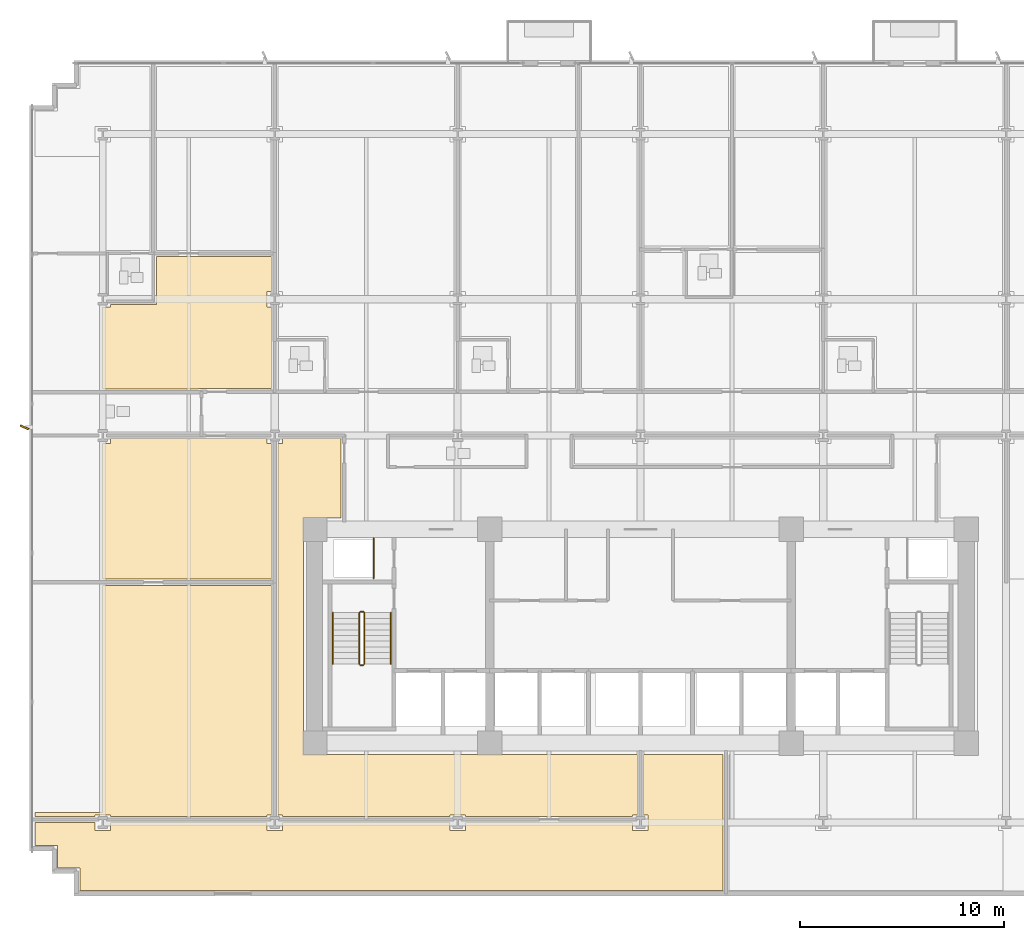
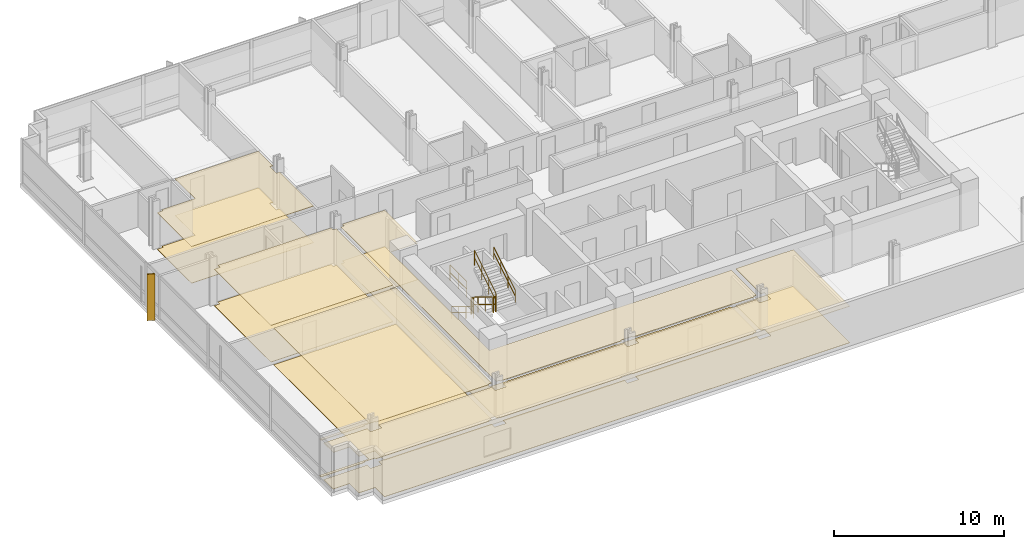
# One storey, part 12 of 15: 10 coverings, 7 railings, 1 shading device.
"""IFC4 building model written with IfcOpenShell, lengths in metres."""

from ifc_helpers import new_model, si_unit, direction, frame, origin, origin_2d, place, context, subcontext, project, spatial, polyline, rectangle, circle, outline, extrude, material, layer, layer_set, type_object, element, save


model = new_model("IFC4")

# Units and contexts
model_context = context("Model", 3, precision=1e-05, world=origin(), true_north=direction((0.0, 1.0)))
body_context = subcontext(model_context, "Body", "Model", "MODEL_VIEW")
ifc_project = project(units=[si_unit("LENGTHUNIT", "METRE"), si_unit("AREAUNIT", "SQUARE_METRE"), si_unit("VOLUMEUNIT", "CUBIC_METRE"), si_unit("PLANEANGLEUNIT", "RADIAN"), si_unit("MASSUNIT", "GRAM", prefix="KILO")], contexts=[model_context])

# Site, building, storey
site_placement = place(None, origin())
site = spatial("IfcSite", under=ifc_project, at=site_placement, CompositionType="ELEMENT")
building_placement = place(site_placement, origin())
building = spatial("IfcBuilding", under=site, at=building_placement, Name="Solmavex Isthmus Hotel", CompositionType="ELEMENT")
storey_placement = place(building_placement, frame((0.0, 0.0, 33.300048828125)))
storey = spatial("IfcBuildingStorey", under=building, at=storey_placement, Name="L08", CompositionType="ELEMENT", Elevation=33.300048828125)

# Coverings
ifc_material_1 = material(Name="Gypsum plasterboard lining", Category="gypsum")
ifc_layer_1 = layer(ifc_material_1, 0.030029296875)
ifc_layer_set_1 = layer_set([ifc_layer_1], Name="Gypsum plasterboard lining")
covering_type_1 = type_object("IfcCoveringType", Name="COV-CEIL-GYP", PredefinedType="CEILING", material=ifc_layer_set_1)
covering_1_placement = place(storey_placement, frame((0.0, 0.0, 2.619873046875)))
element("IfcCovering", 1, at=covering_1_placement, inside=storey, type_object=covering_type_1, Name="Suspended Acoustic Ceiling L08-SH01-LV", PredefinedType="CEILING", context=body_context, shape_type="SweptSolid", body=[
    extrude(outline(polyline([(-26.02001953125, 8.532958984375), (-26.02001953125, 8.407958984375), (-26.39990234375, 8.407958984375), (-26.39990234375, 4.385009765625), (-21.70703125, 4.385009765625), (-21.70703125, 4.405029296875), (-18.10693359375, 4.405029296875), (-18.10693359375, 8.407958984375), (-18.33203125, 8.407958984375), (-18.33203125, 9.16796875), (-18.10693359375, 9.16796875), (-18.10693359375, 10.883056640625), (-23.760986328125, 10.883056640625), (-23.760986328125, 8.532958984375), (-26.02001953125, 8.532958984375)])), origin(), (0.0, 0.0, 1.0), 0.030029296875),
])
covering_2_placement = place(storey_placement, frame((0.0, 0.0, 2.619873046875)))
element("IfcCovering", 2, at=covering_2_placement, inside=storey, type_object=covering_type_1, Name="Suspended Acoustic Ceiling L08-FL12", PredefinedType="CEILING", context=body_context, shape_type="SweptSolid", body=[
    extrude(outline(polyline([(-26.02001953125, 1.945068359375), (-26.02001953125, 1.719970703125), (-26.39990234375, 1.719970703125), (-26.39990234375, -4.945068359375), (-18.10693359375, -4.945068359375), (-18.10693359375, 1.719970703125), (-18.33203125, 1.719970703125), (-18.33203125, 1.945068359375), (-26.02001953125, 1.945068359375)])), origin(), (0.0, 0.0, 1.0), 0.030029296875),
])
covering_3_placement = place(storey_placement, frame((0.0, 0.0, 2.619873046875)))
element("IfcCovering", 3, at=covering_3_placement, inside=storey, type_object=covering_type_1, Name="Suspended Acoustic Ceiling L08-FL14", PredefinedType="CEILING", context=body_context, shape_type="SweptSolid", body=[
    extrude(outline(polyline([(-17.797119140625, -16.52001953125), (-17.572021484375, -16.52001953125), (-17.572021484375, -16.594970703125), (-9.35595703125, -16.594970703125), (-9.35595703125, -16.52001953125), (-8.595947265625, -16.52001953125), (-8.595947265625, -16.594970703125), (-0.3798828125, -16.594970703125), (-0.3798828125, -16.52001953125), (-0.155029296875, -16.52001953125), (-0.155029296875, -13.554931640625), (-16.554931640625, -13.554931640625), (-16.554931640625, -1.945068359375), (-14.698974609375, -1.945068359375), (-14.698974609375, 1.945068359375), (-17.572021484375, 1.945068359375), (-17.572021484375, 1.719970703125), (-17.797119140625, 1.719970703125), (-17.797119140625, -16.52001953125)])), origin(), (0.0, 0.0, 1.0), 0.030029296875),
])
covering_4_placement = place(storey_placement, frame((0.0, 0.0, 2.619873046875)))
element("IfcCovering", 4, at=covering_4_placement, inside=storey, type_object=covering_type_1, Name="Suspended Acoustic Ceiling L08-FL16", PredefinedType="CEILING", context=body_context, shape_type="SweptSolid", body=[
    extrude(outline(polyline([(-26.02001953125, -16.905029296875), (-26.02001953125, -17.280029296875), (-26.780029296875, -17.280029296875), (-26.780029296875, -16.905029296875), (-29.72509765625, -16.905029296875), (-29.72509765625, -18.02490234375), (-28.625, -18.02490234375), (-28.625, -19.125), (-27.52490234375, -19.125), (-27.52490234375, -20.22509765625), (4.044921875, -20.22509765625), (4.044921875, -13.554931640625), (0.155029296875, -13.554931640625), (0.155029296875, -16.52001953125), (0.3798828125, -16.52001953125), (0.3798828125, -17.280029296875), (-0.3798828125, -17.280029296875), (-0.3798828125, -16.905029296875), (-8.595947265625, -16.905029296875), (-8.595947265625, -17.280029296875), (-9.35595703125, -17.280029296875), (-9.35595703125, -16.905029296875), (-17.572021484375, -16.905029296875), (-17.572021484375, -17.280029296875), (-18.33203125, -17.280029296875), (-18.33203125, -16.905029296875), (-26.02001953125, -16.905029296875)])), origin(), (0.0, 0.0, 1.0), 0.030029296875),
])
covering_5_placement = place(storey_placement, frame((0.0, 0.0, 2.619873046875)))
element("IfcCovering", 5, at=covering_5_placement, inside=storey, type_object=covering_type_1, Name="Suspended Acoustic Ceiling L08-FL17", PredefinedType="CEILING", context=body_context, shape_type="SweptSolid", body=[
    extrude(outline(polyline([(-26.780029296875, -16.594970703125), (-26.780029296875, -16.52001953125), (-26.02001953125, -16.52001953125), (-26.02001953125, -16.594970703125), (-18.33203125, -16.594970703125), (-18.33203125, -16.52001953125), (-18.10693359375, -16.52001953125), (-18.10693359375, -5.2548828125), (-26.39990234375, -5.2548828125), (-26.39990234375, -16.39990234375), (-29.72509765625, -16.39990234375), (-29.72509765625, -16.594970703125), (-26.780029296875, -16.594970703125)])), origin(), (0.0, 0.0, 1.0), 0.030029296875),
])
ifc_material_2 = material(Name="Travertine natural stone", Category="masonry")
ifc_layer_2 = layer(ifc_material_2, 0.02490234375)
ifc_layer_set_2 = layer_set([ifc_layer_2], Name="Travertine natural stone")
covering_type_2 = type_object("IfcCoveringType", Name="COV-FLOR-STN", PredefinedType="FLOORING", material=ifc_layer_set_2)
covering_6_placement = place(storey_placement, origin())
element("IfcCovering", 6, at=covering_6_placement, inside=storey, type_object=covering_type_2, Name="Stone and Timber Floor Finish L08-SH01-LV", PredefinedType="FLOORING", context=body_context, shape_type="SweptSolid", body=[
    extrude(outline(polyline([(-26.02001953125, 8.532958984375), (-26.02001953125, 8.407958984375), (-26.39990234375, 8.407958984375), (-26.39990234375, 4.385009765625), (-21.70703125, 4.385009765625), (-21.70703125, 4.405029296875), (-18.10693359375, 4.405029296875), (-18.10693359375, 8.407958984375), (-18.33203125, 8.407958984375), (-18.33203125, 9.16796875), (-18.10693359375, 9.16796875), (-18.10693359375, 10.883056640625), (-23.760986328125, 10.883056640625), (-23.760986328125, 8.532958984375), (-26.02001953125, 8.532958984375)])), origin(), (0.0, 0.0, 1.0), 0.02490234375),
])
covering_7_placement = place(storey_placement, origin())
element("IfcCovering", 7, at=covering_7_placement, inside=storey, type_object=covering_type_2, Name="Stone and Timber Floor Finish L08-FL12", PredefinedType="FLOORING", context=body_context, shape_type="SweptSolid", body=[
    extrude(outline(polyline([(-26.02001953125, 1.945068359375), (-26.02001953125, 1.719970703125), (-26.39990234375, 1.719970703125), (-26.39990234375, -4.945068359375), (-18.10693359375, -4.945068359375), (-18.10693359375, 1.719970703125), (-18.33203125, 1.719970703125), (-18.33203125, 1.945068359375), (-26.02001953125, 1.945068359375)])), origin(), (0.0, 0.0, 1.0), 0.02490234375),
])
covering_8_placement = place(storey_placement, origin())
element("IfcCovering", 8, at=covering_8_placement, inside=storey, type_object=covering_type_2, Name="Stone and Timber Floor Finish L08-FL14", PredefinedType="FLOORING", context=body_context, shape_type="SweptSolid", body=[
    extrude(outline(polyline([(-17.797119140625, -16.52001953125), (-17.572021484375, -16.52001953125), (-17.572021484375, -16.594970703125), (-9.35595703125, -16.594970703125), (-9.35595703125, -16.52001953125), (-8.595947265625, -16.52001953125), (-8.595947265625, -16.594970703125), (-0.3798828125, -16.594970703125), (-0.3798828125, -16.52001953125), (-0.155029296875, -16.52001953125), (-0.155029296875, -13.554931640625), (-16.554931640625, -13.554931640625), (-16.554931640625, -1.945068359375), (-14.698974609375, -1.945068359375), (-14.698974609375, 1.945068359375), (-17.572021484375, 1.945068359375), (-17.572021484375, 1.719970703125), (-17.797119140625, 1.719970703125), (-17.797119140625, -16.52001953125)])), origin(), (0.0, 0.0, 1.0), 0.02490234375),
])
covering_9_placement = place(storey_placement, origin())
element("IfcCovering", 9, at=covering_9_placement, inside=storey, type_object=covering_type_2, Name="Stone and Timber Floor Finish L08-FL16", PredefinedType="FLOORING", context=body_context, shape_type="SweptSolid", body=[
    extrude(outline(polyline([(-26.02001953125, -16.905029296875), (-26.02001953125, -17.280029296875), (-26.780029296875, -17.280029296875), (-26.780029296875, -16.905029296875), (-29.72509765625, -16.905029296875), (-29.72509765625, -18.02490234375), (-28.625, -18.02490234375), (-28.625, -19.125), (-27.52490234375, -19.125), (-27.52490234375, -20.22509765625), (4.044921875, -20.22509765625), (4.044921875, -13.554931640625), (0.155029296875, -13.554931640625), (0.155029296875, -16.52001953125), (0.3798828125, -16.52001953125), (0.3798828125, -17.280029296875), (-0.3798828125, -17.280029296875), (-0.3798828125, -16.905029296875), (-8.595947265625, -16.905029296875), (-8.595947265625, -17.280029296875), (-9.35595703125, -17.280029296875), (-9.35595703125, -16.905029296875), (-17.572021484375, -16.905029296875), (-17.572021484375, -17.280029296875), (-18.33203125, -17.280029296875), (-18.33203125, -16.905029296875), (-26.02001953125, -16.905029296875)])), origin(), (0.0, 0.0, 1.0), 0.02490234375),
])
covering_10_placement = place(storey_placement, origin())
element("IfcCovering", 10, at=covering_10_placement, inside=storey, type_object=covering_type_2, Name="Stone and Timber Floor Finish L08-FL17", PredefinedType="FLOORING", context=body_context, shape_type="SweptSolid", body=[
    extrude(outline(polyline([(-26.780029296875, -16.594970703125), (-26.780029296875, -16.52001953125), (-26.02001953125, -16.52001953125), (-26.02001953125, -16.594970703125), (-18.33203125, -16.594970703125), (-18.33203125, -16.52001953125), (-18.10693359375, -16.52001953125), (-18.10693359375, -5.2548828125), (-26.39990234375, -5.2548828125), (-26.39990234375, -16.39990234375), (-29.72509765625, -16.39990234375), (-29.72509765625, -16.594970703125), (-26.780029296875, -16.594970703125)])), origin(), (0.0, 0.0, 1.0), 0.02490234375),
])

# Railings
ifc_material_3 = material(Name="Clear low-E laminated glass", Category="glass")
ifc_layer_3 = layer(ifc_material_3, 0.080078125)
ifc_layer_set_3 = layer_set([ifc_layer_3], Name="Clear low-E laminated glass")
railing_type_1 = type_object("IfcRailingType", Name="RAIL-ATRIUM-1120", PredefinedType="BALUSTRADE", material=ifc_layer_set_3)
railing_1_placement = place(storey_placement, frame((-13.10009765625, -4.89990234375, 0.0)))
element("IfcRailing", 11, at=railing_1_placement, inside=storey, type_object=railing_type_1, Name="Guardrail Balustrade L08-RSW-01", PredefinedType="BALUSTRADE", context=body_context, shape_type="SweptSolid", body=[
    extrude(circle(Radius=0.02392578125, at=origin_2d()), frame((0.0, 0.0, 1.1259765625), z_axis=(0.0, 1.0, 0.0), x_axis=(-1.0, 0.0, 0.0)), (0.0, 0.0, 1.0), 1.949951171875),
    extrude(circle(Radius=0.02392578125, at=origin_2d()), frame((0.0, 0.0, 0.574951171875), z_axis=(0.0, 1.0, 0.0), x_axis=(-1.0, 0.0, 0.0)), (0.0, 0.0, 1.0), 1.949951171875),
    extrude(circle(Radius=0.02099609375, at=origin_2d()), origin(), (0.0, 0.0, 1.0), 1.101806640625),
    extrude(circle(Radius=0.02099609375, at=origin_2d()), frame((0.0, 0.97509765625, 0.0)), (0.0, 0.0, 1.0), 1.101806640625),
    extrude(circle(Radius=0.02099609375, at=origin_2d()), frame((0.0, 1.949951171875, 0.0)), (0.0, 0.0, 1.0), 1.101806640625),
])
ifc_material_4 = material(Name="Stainless steel 316", Category="steel")
ifc_layer_4 = layer(ifc_material_4, 0.06005859375)
ifc_layer_set_4 = layer_set([ifc_layer_4], Name="Stainless steel 316")
railing_type_2 = type_object("IfcRailingType", Name="RAIL-STAIR-GD", PredefinedType="GUARDRAIL", material=ifc_layer_set_4)
railing_2_placement = place(storey_placement, frame((-13.800048828125, -6.60009765625, 0.17236328125)))
element("IfcRailing", 12, at=railing_2_placement, inside=storey, type_object=railing_type_2, Name="L08 ST-1 stair guard 1", PredefinedType="GUARDRAIL", context=body_context, shape_type="SweptSolid", body=[
    extrude(circle(Radius=0.02392578125, at=origin_2d()), frame((0.0, 0.0, 1.09619140625), z_axis=(0.0, -0.851400495292, 0.524516154772), x_axis=(1.0, 0.0, 0.0)), (0.0, 0.0, 1.0), 2.9599609375),
    extrude(circle(Radius=0.02392578125, at=origin_2d()), frame((0.0, 0.0, 0.56005859375), z_axis=(0.0, -0.851400495292, 0.524516154772), x_axis=(1.0, 0.0, 0.0)), (0.0, 0.0, 1.0), 2.9599609375),
    extrude(circle(Radius=0.02099609375, at=origin_2d()), origin(), (0.0, 0.0, 1.0), 1.072021484375),
    extrude(circle(Radius=0.02099609375, at=origin_2d()), frame((0.0, -0.840087890625, 0.517578125)), (0.0, 0.0, 1.0), 1.072021484375),
    extrude(circle(Radius=0.02099609375, at=origin_2d()), frame((0.0, -1.679931640625, 1.034912109375)), (0.0, 0.0, 1.0), 1.072021484375),
    extrude(circle(Radius=0.02099609375, at=origin_2d()), frame((0.0, -2.52001953125, 1.552490234375)), (0.0, 0.0, 1.0), 1.072021484375),
])
railing_3_placement = place(storey_placement, frame((-13.75, -9.169921875, 1.724853515625)))
element("IfcRailing", 13, at=railing_3_placement, inside=storey, type_object=railing_type_2, Name="L08 ST-1 stair guard 2", PredefinedType="GUARDRAIL", context=body_context, shape_type="SweptSolid", body=[
    extrude(circle(Radius=0.02392578125, at=origin_2d()), frame((0.0, 0.0, 1.09619140625), z_axis=(1.0, 0.0, 0.0), x_axis=(0.0, 1.0, 0.0)), (0.0, 0.0, 1.0), 0.14990234375),
    extrude(circle(Radius=0.02392578125, at=origin_2d()), frame((0.0, 0.0, 0.56005859375), z_axis=(1.0, 0.0, 0.0), x_axis=(0.0, 1.0, 0.0)), (0.0, 0.0, 1.0), 0.14990234375),
    extrude(circle(Radius=0.02099609375, at=origin_2d()), origin(), (0.0, 0.0, 1.0), 1.072021484375),
    extrude(circle(Radius=0.02099609375, at=origin_2d()), frame((0.14990234375, 0.0, 0.0)), (0.0, 0.0, 1.0), 1.072021484375),
])
railing_4_placement = place(storey_placement, frame((-13.550048828125, -9.1201171875, 1.8974609375)))
element("IfcRailing", 14, at=railing_4_placement, inside=storey, type_object=railing_type_2, Name="L08 ST-1 stair guard 3", PredefinedType="GUARDRAIL", context=body_context, shape_type="SweptSolid", body=[
    extrude(circle(Radius=0.02392578125, at=origin_2d()), frame((0.0, 0.0, 1.09619140625), z_axis=(0.0, 0.851400495292, 0.524516154772), x_axis=(-1.0, 0.0, 0.0)), (0.0, 0.0, 1.0), 2.9599609375),
    extrude(circle(Radius=0.02392578125, at=origin_2d()), frame((0.0, 0.0, 0.56005859375), z_axis=(0.0, 0.851400495292, 0.524516154772), x_axis=(-1.0, 0.0, 0.0)), (0.0, 0.0, 1.0), 2.9599609375),
    extrude(circle(Radius=0.02099609375, at=origin_2d()), origin(), (0.0, 0.0, 1.0), 1.072021484375),
    extrude(circle(Radius=0.02099609375, at=origin_2d()), frame((0.0, 0.840087890625, 0.517578125)), (0.0, 0.0, 1.0), 1.072021484375),
    extrude(circle(Radius=0.02099609375, at=origin_2d()), frame((0.0, 1.679931640625, 1.034912109375)), (0.0, 0.0, 1.0), 1.072021484375),
    extrude(circle(Radius=0.02099609375, at=origin_2d()), frame((0.0, 2.52001953125, 1.552490234375)), (0.0, 0.0, 1.0), 1.072021484375),
])
railing_5_placement = place(storey_placement, frame((-13.75, -6.550048828125, 0.0)))
element("IfcRailing", 15, at=railing_5_placement, inside=storey, type_object=railing_type_2, Name="L08 ST-1 stair guard 4", PredefinedType="GUARDRAIL", context=body_context, shape_type="SweptSolid", body=[
    extrude(circle(Radius=0.02392578125, at=origin_2d()), frame((0.0, 0.0, 1.09619140625), z_axis=(1.0, 0.0, 0.0), x_axis=(0.0, 1.0, 0.0)), (0.0, 0.0, 1.0), 0.14990234375),
    extrude(circle(Radius=0.02392578125, at=origin_2d()), frame((0.0, 0.0, 0.56005859375), z_axis=(1.0, 0.0, 0.0), x_axis=(0.0, 1.0, 0.0)), (0.0, 0.0, 1.0), 0.14990234375),
    extrude(circle(Radius=0.02099609375, at=origin_2d()), origin(), (0.0, 0.0, 1.0), 1.072021484375),
    extrude(circle(Radius=0.02099609375, at=origin_2d()), frame((0.14990234375, 0.0, 0.0)), (0.0, 0.0, 1.0), 1.072021484375),
])
ifc_layer_5 = layer(ifc_material_4, 0.050048828125)
ifc_layer_set_5 = layer_set([ifc_layer_5], Name="Stainless steel 316")
railing_type_3 = type_object("IfcRailingType", Name="RAIL-STAIR-HR", PredefinedType="HANDRAIL", material=ifc_layer_set_5)
railing_6_placement = place(storey_placement, frame((-15.10009765625, -6.60009765625, 0.17236328125)))
element("IfcRailing", 16, at=railing_6_placement, inside=storey, type_object=railing_type_3, Name="L08 ST-1 stair handrail 1", PredefinedType="HANDRAIL", context=body_context, shape_type="SweptSolid", body=[
    extrude(circle(Radius=0.02392578125, at=origin_2d()), frame((0.0, 0.0, 0.8759765625), z_axis=(0.0, -0.851400495292, 0.524516154772), x_axis=(1.0, 0.0, 0.0)), (0.0, 0.0, 1.0), 2.9599609375),
    extrude(circle(Radius=0.02392578125, at=origin_2d()), frame((0.0, 0.0, 0.449951171875), z_axis=(0.0, -0.851400495292, 0.524516154772), x_axis=(1.0, 0.0, 0.0)), (0.0, 0.0, 1.0), 2.9599609375),
    extrude(circle(Radius=0.02099609375, at=origin_2d()), origin(), (0.0, 0.0, 1.0), 0.851806640625),
    extrude(circle(Radius=0.02099609375, at=origin_2d()), frame((0.0, -0.840087890625, 0.517578125)), (0.0, 0.0, 1.0), 0.851806640625),
    extrude(circle(Radius=0.02099609375, at=origin_2d()), frame((0.0, -1.679931640625, 1.034912109375)), (0.0, 0.0, 1.0), 0.851806640625),
    extrude(circle(Radius=0.02099609375, at=origin_2d()), frame((0.0, -2.52001953125, 1.552490234375)), (0.0, 0.0, 1.0), 0.851806640625),
])
railing_7_placement = place(storey_placement, frame((-12.25, -9.1201171875, 1.8974609375)))
element("IfcRailing", 17, at=railing_7_placement, inside=storey, type_object=railing_type_3, Name="L08 ST-1 stair handrail 2", PredefinedType="HANDRAIL", context=body_context, shape_type="SweptSolid", body=[
    extrude(circle(Radius=0.02392578125, at=origin_2d()), frame((0.0, 0.0, 0.8759765625), z_axis=(0.0, 0.851400495292, 0.524516154772), x_axis=(-1.0, 0.0, 0.0)), (0.0, 0.0, 1.0), 2.9599609375),
    extrude(circle(Radius=0.02392578125, at=origin_2d()), frame((0.0, 0.0, 0.449951171875), z_axis=(0.0, 0.851400495292, 0.524516154772), x_axis=(-1.0, 0.0, 0.0)), (0.0, 0.0, 1.0), 2.9599609375),
    extrude(circle(Radius=0.02099609375, at=origin_2d()), origin(), (0.0, 0.0, 1.0), 0.851806640625),
    extrude(circle(Radius=0.02099609375, at=origin_2d()), frame((0.0, 0.840087890625, 0.517578125)), (0.0, 0.0, 1.0), 0.851806640625),
    extrude(circle(Radius=0.02099609375, at=origin_2d()), frame((0.0, 1.679931640625, 1.034912109375)), (0.0, 0.0, 1.0), 0.851806640625),
    extrude(circle(Radius=0.02099609375, at=origin_2d()), frame((0.0, 2.52001953125, 1.552490234375)), (0.0, 0.0, 1.0), 0.851806640625),
])

# Shading device
ifc_material_5 = material(Name="Aluminium alloy 6063-T6", Category="aluminium")
shading_device_type = type_object("IfcShadingDeviceType", Name="SHD-FIN-BRONZE", PredefinedType="USERDEFINED", material=ifc_material_5)
shading_device_placement = place(storey_placement, frame((-30.239990234375, 2.5, -0.14013671875), z_axis=(0.0, 0.0, 1.0), x_axis=(-0.913545457643, 0.406736643076, 0.0)))
element("IfcShadingDevice", 18, at=shading_device_placement, inside=storey, type_object=shading_device_type, Name="Anodised Aluminium Solar Fin L08-W1", ObjectType="SOLAR_FIN", PredefinedType="USERDEFINED", context=body_context, shape_type="SweptSolid", body=[
    extrude(rectangle(XDim=0.449951171875, YDim=0.080078125, at=origin_2d()), origin(), (0.0, 0.0, 1.0), 3.330078125),
])

save(model, "model.ifc")
